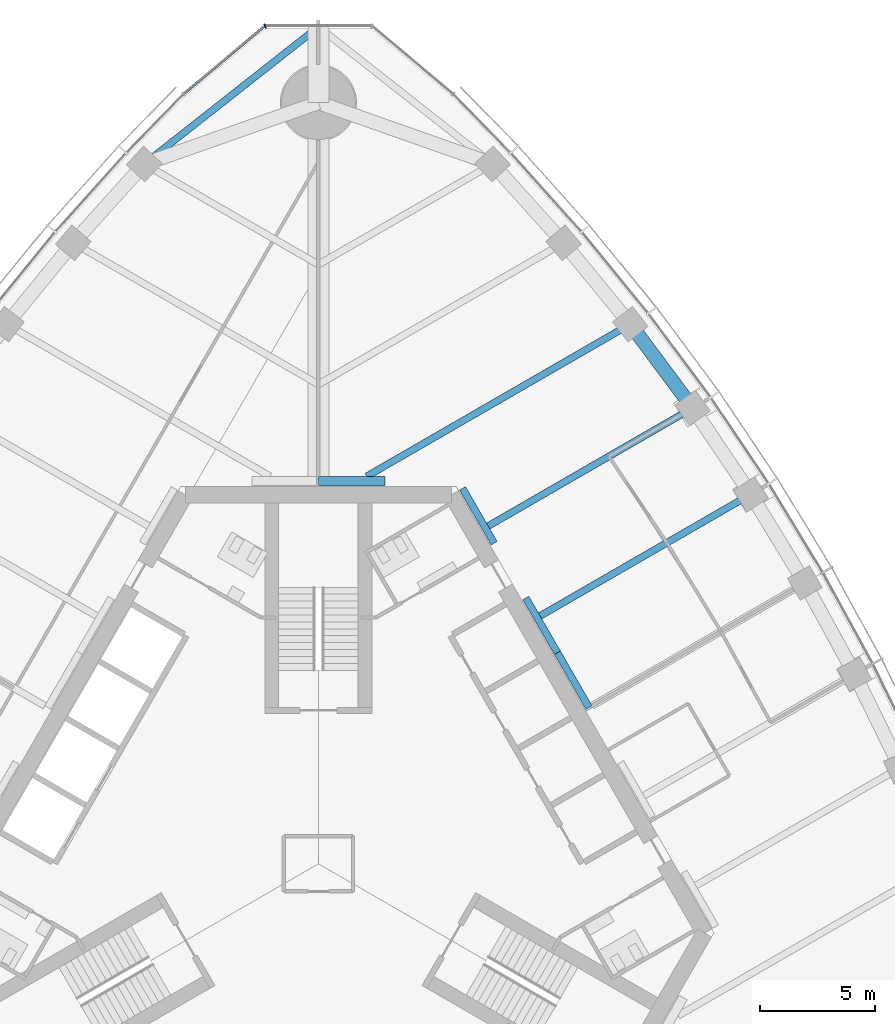
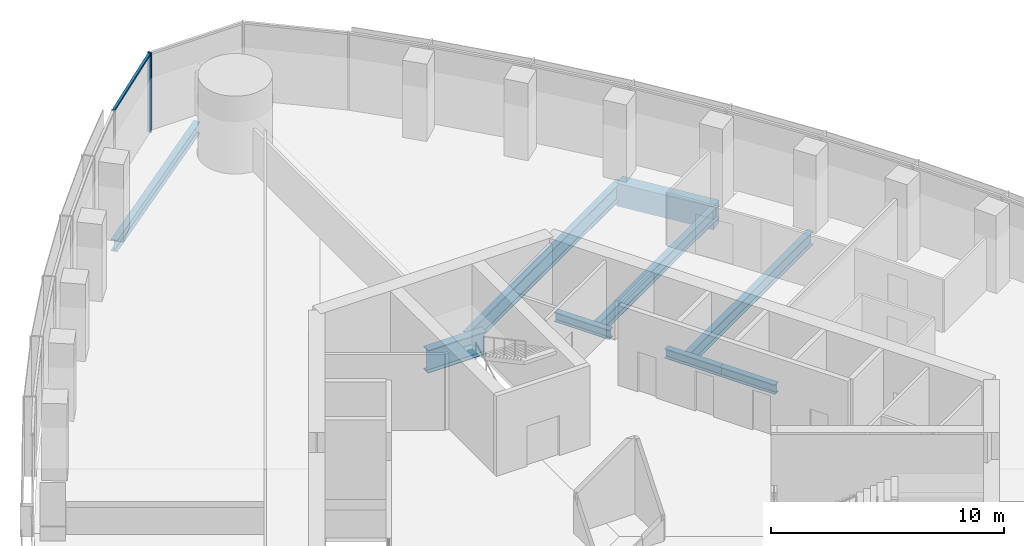
# One storey, part 6 of 19: 9 beams, 2 members, 1 element without a shape of its own.
"""IFC4 building model written with IfcOpenShell, lengths in metres."""

from ifc_helpers import new_model, si_unit, direction, frame, origin, origin_2d, place, context, subcontext, project, spatial, rectangle, i_section, extrude, material, material_profile, profile_set, type_object, element, aggregate, save


model = new_model("IFC4")

# Units and contexts
model_context = context("Model", 3, precision=1e-05, world=origin(), true_north=direction((0.0, 1.0)))
body_context = subcontext(model_context, "Body", "Model", "MODEL_VIEW")
ifc_project = project(units=[si_unit("LENGTHUNIT", "METRE"), si_unit("AREAUNIT", "SQUARE_METRE"), si_unit("VOLUMEUNIT", "CUBIC_METRE"), si_unit("PLANEANGLEUNIT", "RADIAN"), si_unit("MASSUNIT", "GRAM", prefix="KILO")], contexts=[model_context])

# Site, building, storey
site_placement = place(None, origin())
site = spatial("IfcSite", under=ifc_project, at=site_placement, CompositionType="ELEMENT")
building_placement = place(site_placement, origin())
building = spatial("IfcBuilding", under=site, at=building_placement, Name="Trefoil Bronze Tower", CompositionType="ELEMENT")
storey_placement = place(building_placement, frame((0.0, 0.0, 223.300048828125)))
storey = spatial("IfcBuildingStorey", under=building, at=storey_placement, Name="L51", CompositionType="ELEMENT", Elevation=223.300048828125)

# Curtain wall, members
ifc_material_1 = material(Name="Tinted solar-control glass", Category="glass")
curtain_wall_type = type_object("IfcCurtainWallType", Name="Bronze rounded corner curtain wall", PredefinedType="USERDEFINED", material=ifc_material_1)
curtain_wall_placement = place(storey_placement, origin())
curtain_wall = element("IfcCurtainWall", 1, at=curtain_wall_placement, inside=storey, type_object=curtain_wall_type, Name="CW-B L51 K2", ObjectType="CURTAIN WALL", PredefinedType="USERDEFINED")
ifc_material_2 = material(Name="Bronze-finish aluminium", Category="aluminium")
ifc_material_profile_1 = material_profile(ifc_material_2, rectangle(XDim=0.199951171875, YDim=0.06005859375, at=origin_2d()), Name="CW-B mullion")
ifc_profile_set_1 = profile_set([ifc_material_profile_1], Name="Bronze-finish aluminium")
member_type_1 = type_object("IfcMemberType", Name="Bronze rounded corner curtain wall mullion", PredefinedType="MULLION", material=ifc_profile_set_1)
member_1_placement = place(storey_placement, frame((-2.314453125, 36.326416015625, 0.0), z_axis=(0.0, 0.0, 1.0), x_axis=(0.342020143326, -0.939692620786, 0.0)))
member_1 = element("IfcMember", 2, at=member_1_placement, type_object=member_type_1, Name="CW-B L51 K2 mullion 3", PredefinedType="MULLION", context=body_context, shape_type="SweptSolid", body=[
    extrude(rectangle(XDim=0.199951171875, YDim=0.06005859375, at=origin_2d()), origin(), (0.0, 0.0, 1.0), 4.179931640625),
])
ifc_material_3 = material(Name="Bronze-finish aluminium", Category="aluminium")
ifc_material_profile_2 = material_profile(ifc_material_3, rectangle(XDim=0.1201171875, YDim=0.10009765625, at=origin_2d()), Name="CW-B transom")
ifc_profile_set_2 = profile_set([ifc_material_profile_2], Name="Bronze-finish aluminium")
member_type_2 = type_object("IfcMemberType", Name="Bronze rounded corner curtain wall transom", PredefinedType="USERDEFINED", material=ifc_profile_set_2)
member_2_placement = place(storey_placement, frame((-2.367431640625, 36.289794921875, 4.1298828125), z_axis=(-0.766046761698, -0.642784846501, 0.0), x_axis=(0.642784846501, -0.766046761698, 0.0)))
member_2 = element("IfcMember", 3, at=member_2_placement, type_object=member_type_2, Name="CW-B L51 K2 transom 3", ObjectType="TRANSOM", PredefinedType="USERDEFINED", context=body_context, shape_type="SweptSolid", body=[
    extrude(rectangle(XDim=0.1201171875, YDim=0.10009765625, at=origin_2d()), origin(), (0.0, 0.0, 1.0), 4.5),
])
aggregate(curtain_wall, [member_1, member_2])

# Beams
ifc_material_4 = material(Name="Steel C355", Category="steel")
ifc_material_profile_3 = material_profile(ifc_material_4, i_section(OverallWidth=0.300048828125, OverallDepth=0.5, WebThickness=0.014404296875, FlangeThickness=0.028076171875, FilletRadius=0.027099609375, at=origin_2d()), Name="HEB 500")
ifc_profile_set_3 = profile_set([ifc_material_profile_3], Name="Steel C355")
beam_type_1 = type_object("IfcBeamType", Name="Core seat beam HEB 500", PredefinedType="BEAM", material=ifc_profile_set_3)
for number, where, z_axis, x_axis, name in (
    (4, (11.734619140625, 6.77490234375, -0.449951171875), (-0.499969057507, 0.866043267704, 0.0), (-0.866043267704, -0.499969057507, 0.0), "Core seat beam F2/+0 L51"),
    (5, (10.363525390625, 9.14990234375, -0.449951171875), (-0.500035825175, 0.866004719122, 0.0), (-0.866004719122, -0.500035825175, 0.0), "Core seat beam F2/+1 L51"),
    (6, (7.62109375, 13.89990234375, -0.449951171875), (-0.500035825175, 0.866004719122, 0.0), (-0.866004719122, -0.500035825175, 0.0), "Core seat beam F2/+2 L51"),
):
    element("IfcBeam", number, at=place(storey_placement, frame(where, z_axis=z_axis, x_axis=x_axis)), inside=storey, type_object=beam_type_1, Name=name, PredefinedType="BEAM", context=body_context, shape_type="SweptSolid", body=[
        extrude(i_section(OverallWidth=0.300048828125, OverallDepth=0.5, WebThickness=0.014404296875, FlangeThickness=0.028076171875, FilletRadius=0.027099609375, at=origin_2d()), origin(), (0.0, 0.0, 1.0), 2.742431640625),
    ])
ifc_material_5 = material(Name="Steel C355", Category="steel")
ifc_material_profile_4 = material_profile(ifc_material_5, i_section(OverallWidth=0.39990234375, OverallDepth=1.199951171875, WebThickness=0.02001953125, FlangeThickness=0.0400390625, FilletRadius=0.010009765625, at=origin_2d()), Name="WPG 1200")
ifc_profile_set_4 = profile_set([ifc_material_profile_4], Name="Steel C355")
beam_type_2 = type_object("IfcBeamType", Name="Core seat beam WPG 1200", PredefinedType="BEAM", material=ifc_profile_set_4)
beam_1_placement = place(storey_placement, frame((2.88671875, 16.60009765625, -0.800048828125), z_axis=(-1.0, 0.0, 0.0), x_axis=(0.0, -1.0, 0.0)))
element("IfcBeam", 7, at=beam_1_placement, inside=storey, type_object=beam_type_2, Name="Core seat beam F2/+3 L51", PredefinedType="BEAM", context=body_context, shape_type="SweptSolid", body=[
    extrude(i_section(OverallWidth=0.39990234375, OverallDepth=1.199951171875, WebThickness=0.02001953125, FlangeThickness=0.0400390625, FilletRadius=0.010009765625, at=origin_2d()), origin(), (0.0, 0.0, 1.0), 2.88671875),
])
ifc_material_6 = material(Name="Steel C355", Category="steel")
ifc_material_profile_5 = material_profile(ifc_material_6, i_section(OverallWidth=0.300048828125, OverallDepth=0.60009765625, WebThickness=0.015380859375, FlangeThickness=0.030029296875, FilletRadius=0.027099609375, at=origin_2d()), Name="HEB 600")
ifc_profile_set_5 = profile_set([ifc_material_profile_5], Name="Steel C355")
beam_type_3 = type_object("IfcBeamType", Name="Corner edge beam HEB 600", PredefinedType="BEAM", material=ifc_profile_set_5)
beam_2_placement = place(storey_placement, frame((-7.552001953125, 30.3408203125, -0.5), z_axis=(0.785805912008, 0.618473175371, 0.0), x_axis=(-0.618473175371, 0.785805912008, 0.0)))
element("IfcBeam", 8, at=beam_2_placement, inside=storey, type_object=beam_type_3, Name="Corner edge beam F3B L51", PredefinedType="BEAM", context=body_context, shape_type="SweptSolid", body=[
    extrude(i_section(OverallWidth=0.300048828125, OverallDepth=0.60009765625, WebThickness=0.015380859375, FlangeThickness=0.030029296875, FilletRadius=0.027099609375, at=origin_2d()), origin(), (0.0, 0.0, 1.0), 9.610595703125),
])
ifc_material_7 = material(Name="Steel C355", Category="steel")
ifc_material_profile_6 = material_profile(ifc_material_7, i_section(OverallWidth=0.300048828125, OverallDepth=0.699951171875, WebThickness=0.01708984375, FlangeThickness=0.031982421875, FilletRadius=0.027099609375, at=origin_2d()), Name="HEB 700")
ifc_profile_set_6 = profile_set([ifc_material_profile_6], Name="Steel C355")
beam_type_4 = type_object("IfcBeamType", Name="Floor beam HEB 700", PredefinedType="BEAM", material=ifc_profile_set_6)
beam_3_placement = place(storey_placement, frame((18.748046875, 16.020263671875, -0.550048828125), z_axis=(-0.866027918957, -0.499995643569, 0.0), x_axis=(0.499995643569, -0.866027918957, 0.0)))
element("IfcBeam", 9, at=beam_3_placement, inside=storey, type_object=beam_type_4, Name="Floor beam F2/+1 L51", PredefinedType="BEAM", context=body_context, shape_type="SweptSolid", body=[
    extrude(i_section(OverallWidth=0.300048828125, OverallDepth=0.699951171875, WebThickness=0.01708984375, FlangeThickness=0.031982421875, FilletRadius=0.027099609375, at=origin_2d()), origin(), (0.0, 0.0, 1.0), 10.54638671875),
])
beam_4_placement = place(storey_placement, frame((16.2265625, 19.7607421875, -0.550048828125), z_axis=(-0.866027856548, -0.499995751665, 0.0), x_axis=(0.499995751665, -0.866027856548, 0.0)))
element("IfcBeam", 10, at=beam_4_placement, inside=storey, type_object=beam_type_4, Name="Floor beam F2/+2 L51", PredefinedType="BEAM", context=body_context, shape_type="SweptSolid", body=[
    extrude(i_section(OverallWidth=0.300048828125, OverallDepth=0.699951171875, WebThickness=0.01708984375, FlangeThickness=0.031982421875, FilletRadius=0.027099609375, at=origin_2d()), origin(), (0.0, 0.0, 1.0), 10.23291015625),
])
ifc_material_8 = material(Name="Steel C355", Category="steel")
ifc_material_profile_7 = material_profile(ifc_material_8, i_section(OverallWidth=0.300048828125, OverallDepth=0.89990234375, WebThickness=0.0185546875, FlangeThickness=0.034912109375, FilletRadius=0.030029296875, at=origin_2d()), Name="HEB 900")
ifc_profile_set_7 = profile_set([ifc_material_profile_7], Name="Steel C355")
beam_type_5 = type_object("IfcBeamType", Name="Floor beam HEB 900", PredefinedType="BEAM", material=ifc_profile_set_7)
beam_5_placement = place(storey_placement, frame((13.522216796875, 23.3955078125, -0.650146484375), z_axis=(-0.866028399451, -0.499994811317, 0.0), x_axis=(0.499994811317, -0.866028399451, 0.0)))
element("IfcBeam", 11, at=beam_5_placement, inside=storey, type_object=beam_type_5, Name="Floor beam F2/+3 L51", PredefinedType="BEAM", context=body_context, shape_type="SweptSolid", body=[
    extrude(i_section(OverallWidth=0.300048828125, OverallDepth=0.89990234375, WebThickness=0.0185546875, FlangeThickness=0.034912109375, FilletRadius=0.030029296875, at=origin_2d()), origin(), (0.0, 0.0, 1.0), 13.191162109375),
])
ifc_material_9 = material(Name="Concrete B80", Category="concrete")
ifc_material_profile_8 = material_profile(ifc_material_9, rectangle(XDim=0.60009765625, YDim=1.199951171875, at=origin_2d()), Name="RC 600x1200")
ifc_profile_set_8 = profile_set([ifc_material_profile_8], Name="Concrete B80")
beam_type_6 = type_object("IfcBeamType", Name="Spandrel beam RC 600x1200", PredefinedType="SPANDREL", material=ifc_profile_set_8)
beam_6_placement = place(storey_placement, frame((16.2265625, 19.7607421875, -0.800048828125), z_axis=(-0.596926078257, 0.802296240236, 0.0), x_axis=(-0.802296240236, -0.596926078257, 0.0)))
element("IfcBeam", 12, at=beam_6_placement, inside=storey, type_object=beam_type_6, Name="Spandrel F2.9 L51", PredefinedType="SPANDREL", context=body_context, shape_type="SweptSolid", body=[
    extrude(rectangle(XDim=0.60009765625, YDim=1.199951171875, at=origin_2d()), origin(), (0.0, 0.0, 1.0), 4.530517578125),
])

save(model, "model.ifc")
